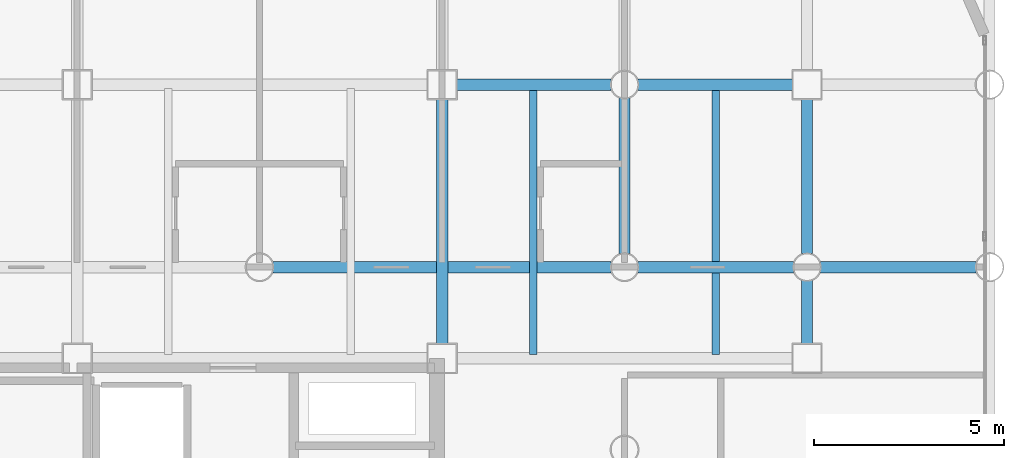
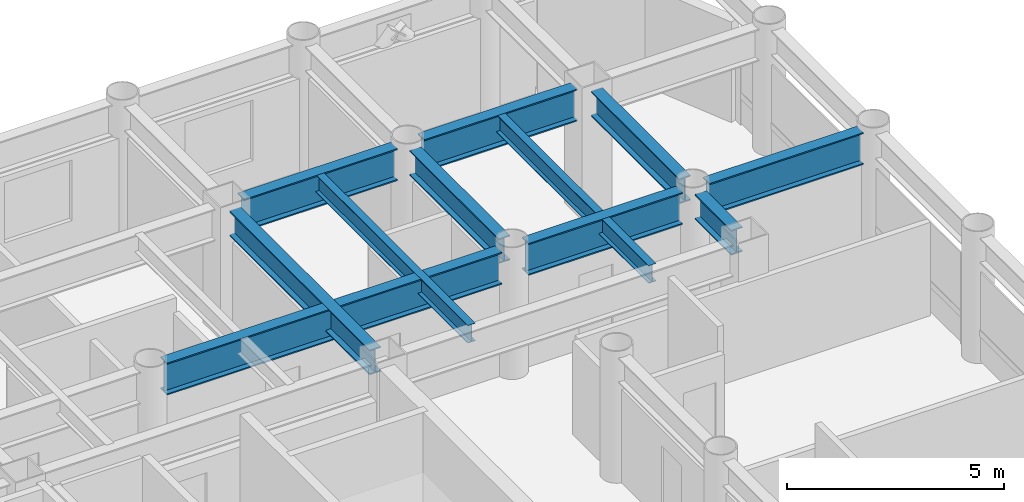
# One storey, part 13 of 22: 11 beams.
"""IFC4 building model written with IfcOpenShell, lengths in metres."""

from ifc_helpers import new_model, si_unit, direction, frame, origin, origin_2d, place, context, subcontext, project, spatial, i_section, extrude, material, material_profile, profile_set, type_object, element, save


model = new_model("IFC4")

# Units and contexts
model_context = context("Model", 3, precision=1e-05, world=origin(), true_north=direction((0.0, 1.0)))
body_context = subcontext(model_context, "Body", "Model", "MODEL_VIEW")
ifc_project = project(units=[si_unit("LENGTHUNIT", "METRE"), si_unit("AREAUNIT", "SQUARE_METRE"), si_unit("VOLUMEUNIT", "CUBIC_METRE"), si_unit("PLANEANGLEUNIT", "RADIAN"), si_unit("MASSUNIT", "GRAM", prefix="KILO")], contexts=[model_context])

# Site, building, storey
site_placement = place(None, origin())
site = spatial("IfcSite", under=ifc_project, at=site_placement, CompositionType="ELEMENT")
building_placement = place(site_placement, origin())
building = spatial("IfcBuilding", under=site, at=building_placement, Name="Kallvorn Hotel Tower", CompositionType="ELEMENT")
storey_placement = place(building_placement, frame((0.0, 0.0, 33.699951171875)))
storey = spatial("IfcBuildingStorey", under=building, at=storey_placement, Name="L06", CompositionType="ELEMENT", Elevation=33.699951171875)

# Beams
ifc_material_1 = material(Name="Structural steel S355JR", Category="steel")
ifc_material_profile_1 = material_profile(ifc_material_1, i_section(OverallWidth=0.300048828125, OverallDepth=0.699951171875, WebThickness=0.01708984375, FlangeThickness=0.031982421875, at=origin_2d()), Name="HE 700 B")
ifc_profile_set_1 = profile_set([ifc_material_profile_1], Name="Structural steel S355JR")
beam_type_1 = type_object("IfcBeamType", Name="BM_HE700B", PredefinedType="BEAM", material=ifc_profile_set_1)
beam_1_placement = place(storey_placement, frame((14.39990234375, 7.574951171875, 3.170166015625), z_axis=(0.0, 1.0, 0.0), x_axis=(-1.0, 0.0, 0.0)))
element("IfcBeam", 1, at=beam_1_placement, inside=storey, type_object=beam_type_1, Name="L07 Primary Y-Girder 125", PredefinedType="BEAM", context=body_context, shape_type="SweptSolid", body=[
    extrude(i_section(OverallWidth=0.300048828125, OverallDepth=0.699951171875, WebThickness=0.01708984375, FlangeThickness=0.031982421875, at=origin_2d()), origin(), (0.0, 0.0, 1.0), 6.449951171875),
])
beam_2_placement = place(storey_placement, frame((19.199951171875, 9.9560546875, 3.170166015625), z_axis=(0.0, 1.0, 0.0), x_axis=(-1.0, 0.0, 0.0)))
element("IfcBeam", 2, at=beam_2_placement, inside=storey, type_object=beam_type_1, Name="L07 Primary Y-Girder 134", PredefinedType="BEAM", context=body_context, shape_type="SweptSolid", body=[
    extrude(i_section(OverallWidth=0.300048828125, OverallDepth=0.699951171875, WebThickness=0.01708984375, FlangeThickness=0.031982421875, at=origin_2d()), origin(), (0.0, 0.0, 1.0), 4.087890625),
])
beam_3_placement = place(storey_placement, frame((24.0, 7.574951171875, 3.170166015625), z_axis=(0.0, 1.0, 0.0), x_axis=(-1.0, 0.0, 0.0)))
element("IfcBeam", 3, at=beam_3_placement, inside=storey, type_object=beam_type_1, Name="L07 Primary Y-Girder 140", PredefinedType="BEAM", context=body_context, shape_type="SweptSolid", body=[
    extrude(i_section(OverallWidth=0.300048828125, OverallDepth=0.699951171875, WebThickness=0.01708984375, FlangeThickness=0.031982421875, at=origin_2d()), origin(), (0.0, 0.0, 1.0), 1.6689453125),
])
beam_4_placement = place(storey_placement, frame((24.0, 9.9560546875, 3.170166015625), z_axis=(0.0, 1.0, 0.0), x_axis=(-1.0, 0.0, 0.0)))
element("IfcBeam", 4, at=beam_4_placement, inside=storey, type_object=beam_type_1, Name="L07 Primary Y-Girder 141", PredefinedType="BEAM", context=body_context, shape_type="SweptSolid", body=[
    extrude(i_section(OverallWidth=0.300048828125, OverallDepth=0.699951171875, WebThickness=0.01708984375, FlangeThickness=0.031982421875, at=origin_2d()), origin(), (0.0, 0.0, 1.0), 4.06884765625),
])
ifc_material_2 = material(Name="Structural steel S355JR", Category="steel")
ifc_material_profile_2 = material_profile(ifc_material_2, i_section(OverallWidth=0.300048828125, OverallDepth=0.89990234375, WebThickness=0.0185546875, FlangeThickness=0.034912109375, at=origin_2d()), Name="HE 900 B")
ifc_profile_set_2 = profile_set([ifc_material_profile_2], Name="Structural steel S355JR")
beam_type_2 = type_object("IfcBeamType", Name="BM_HE900B", PredefinedType="BEAM", material=ifc_profile_set_2)
beam_5_placement = place(storey_placement, frame((9.9560546875, 9.60009765625, 3.070068359375), z_axis=(1.0, 0.0, 0.0), x_axis=(0.0, 1.0, 0.0)))
element("IfcBeam", 5, at=beam_5_placement, inside=storey, type_object=beam_type_2, Name="L07 Primary X-Girder 48", PredefinedType="BEAM", context=body_context, shape_type="SweptSolid", body=[
    extrude(i_section(OverallWidth=0.300048828125, OverallDepth=0.89990234375, WebThickness=0.0185546875, FlangeThickness=0.034912109375, at=origin_2d()), origin(), (0.0, 0.0, 1.0), 8.887939453125),
])
for number, where, z_axis, x_axis, name in (
    (6, (19.555908203125, 9.60009765625, 3.070068359375), (1.0, 0.0, 0.0), (0.0, 1.0, 0.0), "L07 Primary X-Girder 49"),
    (7, (24.35595703125, 9.60009765625, 3.070068359375), (1.0, 0.0, 0.0), (0.0, 1.0, 0.0), "L07 Primary X-Girder 50"),
):
    element("IfcBeam", number, at=place(storey_placement, frame(where, z_axis=z_axis, x_axis=x_axis)), inside=storey, type_object=beam_type_2, Name=name, PredefinedType="BEAM", context=body_context, shape_type="SweptSolid", body=[
        extrude(i_section(OverallWidth=0.300048828125, OverallDepth=0.89990234375, WebThickness=0.0185546875, FlangeThickness=0.034912109375, at=origin_2d()), origin(), (0.0, 0.0, 1.0), 4.088134765625),
    ])
for number, where, z_axis, x_axis, name in (
    (8, (14.77490234375, 14.39990234375, 3.070068359375), (1.0, 0.0, 0.0), (0.0, 1.0, 0.0), "L07 Primary X-Girder 58"),
    (9, (19.555908203125, 14.39990234375, 3.070068359375), (1.0, 0.0, 0.0), (0.0, 1.0, 0.0), "L07 Primary X-Girder 59"),
):
    element("IfcBeam", number, at=place(storey_placement, frame(where, z_axis=z_axis, x_axis=x_axis)), inside=storey, type_object=beam_type_2, Name=name, PredefinedType="BEAM", context=body_context, shape_type="SweptSolid", body=[
        extrude(i_section(OverallWidth=0.300048828125, OverallDepth=0.89990234375, WebThickness=0.0185546875, FlangeThickness=0.034912109375, at=origin_2d()), origin(), (0.0, 0.0, 1.0), 4.069091796875),
    ])
ifc_material_3 = material(Name="Structural steel S355JR", Category="steel")
ifc_material_profile_3 = material_profile(ifc_material_3, i_section(OverallWidth=0.199951171875, OverallDepth=0.5, WebThickness=0.01025390625, FlangeThickness=0.01611328125, at=origin_2d()), Name="IPE 500")
ifc_profile_set_3 = profile_set([ifc_material_profile_3], Name="Structural steel S355JR")
beam_type_3 = type_object("IfcBeamType", Name="BM_IPE500", PredefinedType="JOIST", material=ifc_profile_set_3)
for number, where, z_axis, x_axis, name in (
    (10, (16.800048828125, 7.300048828125, 3.27001953125), (0.0, 1.0, 0.0), (-1.0, 0.0, 0.0), "L07 Secondary Composite Joist 207"),
    (11, (21.60009765625, 7.300048828125, 3.27001953125), (0.0, 1.0, 0.0), (-1.0, 0.0, 0.0), "L07 Secondary Composite Joist 209"),
):
    element("IfcBeam", number, at=place(storey_placement, frame(where, z_axis=z_axis, x_axis=x_axis)), inside=storey, type_object=beam_type_3, Name=name, PredefinedType="JOIST", context=body_context, shape_type="SweptSolid", body=[
        extrude(i_section(OverallWidth=0.199951171875, OverallDepth=0.5, WebThickness=0.01025390625, FlangeThickness=0.01611328125, at=origin_2d()), origin(), (0.0, 0.0, 1.0), 7.0),
    ])

save(model, "model.ifc")
